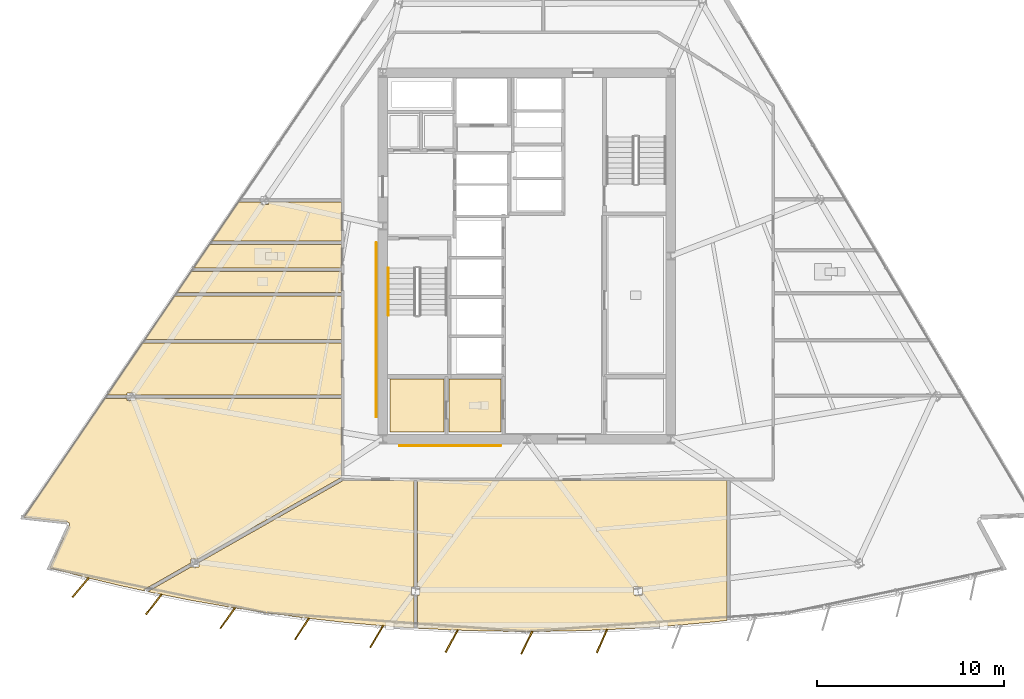
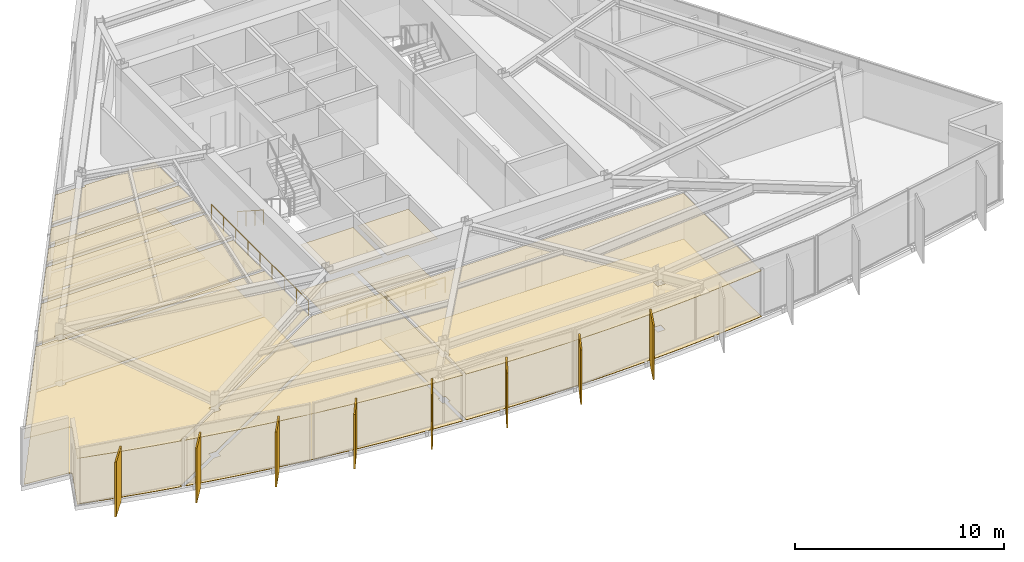
# One storey, part 12 of 16: 20 coverings, 8 shading devices, 3 railings.
"""IFC4 building model written with IfcOpenShell, lengths in metres."""

from ifc_helpers import new_model, si_unit, direction, frame, origin, origin_2d, place, context, subcontext, project, spatial, polyline, rectangle, circle, outline, extrude, material, layer, layer_set, type_object, element, save


model = new_model("IFC4")

# Units and contexts
model_context = context("Model", 3, precision=1e-05, world=origin(), true_north=direction((0.0, 1.0)))
body_context = subcontext(model_context, "Body", "Model", "MODEL_VIEW")
ifc_project = project(units=[si_unit("LENGTHUNIT", "METRE"), si_unit("AREAUNIT", "SQUARE_METRE"), si_unit("VOLUMEUNIT", "CUBIC_METRE"), si_unit("PLANEANGLEUNIT", "RADIAN"), si_unit("MASSUNIT", "GRAM", prefix="KILO")], contexts=[model_context])

# Site, building, storey
site_placement = place(None, origin())
site = spatial("IfcSite", under=ifc_project, at=site_placement, CompositionType="ELEMENT")
building_placement = place(site_placement, origin())
building = spatial("IfcBuilding", under=site, at=building_placement, Name="Savorim Split Tower", CompositionType="ELEMENT")
storey_placement = place(building_placement, frame((0.0, 0.0, 156.60009765625)))
storey = spatial("IfcBuildingStorey", under=building, at=storey_placement, Name="L41", CompositionType="ELEMENT", Elevation=156.60009765625)

# Coverings
ifc_material_1 = material(Name="Mineral Fibre Acoustic Ceiling")
ifc_layer_1 = layer(ifc_material_1, 0.02490234375)
ifc_layer_set_1 = layer_set([ifc_layer_1], Name="COV-CEIL-25")
covering_type_1 = type_object("IfcCoveringType", Name="COV-CEIL-25", PredefinedType="CEILING", material=ifc_layer_set_1)
covering_1_placement = place(storey_placement, frame((0.0, 0.0, 2.669921875)))
element("IfcCovering", 1, at=covering_1_placement, inside=storey, type_object=covering_type_1, Name="L41 Housekeeping Store Acoustic Ceiling", PredefinedType="CEILING", context=body_context, shape_type="SweptSolid", body=[
    extrude(outline(polyline([(-7.320068359375, -6.179931640625), (-7.320068359375, -9.02001953125), (-4.429931640625, -9.02001953125), (-4.429931640625, -6.179931640625), (-7.320068359375, -6.179931640625)])), origin(), (0.0, 0.0, 1.0), 0.02490234375),
])
covering_2_placement = place(storey_placement, frame((0.0, 0.0, 2.669921875)))
element("IfcCovering", 2, at=covering_2_placement, inside=storey, type_object=covering_type_1, Name="L41 Accessible WC Acoustic Ceiling", PredefinedType="CEILING", context=body_context, shape_type="SweptSolid", body=[
    extrude(outline(polyline([(-4.169921875, -6.179931640625), (-4.169921875, -9.02001953125), (-1.3798828125, -9.02001953125), (-1.3798828125, -6.179931640625), (-4.169921875, -6.179931640625)])), origin(), (0.0, 0.0, 1.0), 0.02490234375),
])
covering_3_placement = place(storey_placement, frame((0.0, 0.0, 2.669921875)))
element("IfcCovering", 3, at=covering_3_placement, inside=storey, type_object=covering_type_1, Name="L41 Shared Bathroom Acoustic Ceiling", PredefinedType="CEILING", context=body_context, shape_type="SweptSolid", body=[
    extrude(outline(polyline([(-16.966552734375, 1.00341796875), (-17.810302734375, -0.23681640625), (-9.919921875, -0.23681640625), (-9.919921875, 1.003173828125), (-16.966552734375, 1.00341796875)])), origin(), (0.0, 0.0, 1.0), 0.02490234375),
])
covering_4_placement = place(storey_placement, frame((0.0, 0.0, 2.669921875)))
element("IfcCovering", 4, at=covering_4_placement, inside=storey, type_object=covering_type_1, Name="L41 Shared Kitchen Acoustic Ceiling", PredefinedType="CEILING", context=body_context, shape_type="SweptSolid", body=[
    extrude(outline(polyline([(-17.939453125, -0.4267578125), (-18.703369140625, -1.549560546875), (-9.919921875, -1.549560546875), (-9.919921875, -0.4267578125), (-17.939453125, -0.4267578125)])), origin(), (0.0, 0.0, 1.0), 0.02490234375),
])
covering_5_placement = place(storey_placement, frame((0.0, 0.0, 2.669921875)))
element("IfcCovering", 5, at=covering_5_placement, inside=storey, type_object=covering_type_1, Name="L41 Co-Living Bedroom Acoustic Ceiling", PredefinedType="CEILING", context=body_context, shape_type="SweptSolid", body=[
    extrude(outline(polyline([(-18.83251953125, -1.739501953125), (-20.409912109375, -4.058349609375), (-9.919921875, -4.05859375), (-9.919921875, -1.739501953125), (-18.83251953125, -1.739501953125)])), origin(), (0.0, 0.0, 1.0), 0.02490234375),
])
covering_6_placement = place(storey_placement, frame((0.0, 0.0, 2.669921875)))
element("IfcCovering", 6, at=covering_6_placement, inside=storey, type_object=covering_type_1, Name="L41 Co-Working Commons Acoustic Ceiling", PredefinedType="CEILING", context=body_context, shape_type="SweptSolid", body=[
    extrude(outline(polyline([(-20.94580078125, -6.916748046875), (-20.94580078125, -7.035400390625), (-9.919921875, -7.035400390625), (-9.919921875, -4.24853515625), (-20.539306640625, -4.248291015625), (-22.43505859375, -7.035400390625), (-21.36962890625, -7.035400390625), (-21.36962890625, -6.916748046875), (-20.94580078125, -6.916748046875)])), origin(), (0.0, 0.0, 1.0), 0.02490234375),
])
covering_7_placement = place(storey_placement, frame((0.0, 0.0, 2.669921875)))
element("IfcCovering", 7, at=covering_7_placement, inside=storey, type_object=covering_type_1, Name="L41 Co-Working Commons Acoustic Ceiling", PredefinedType="CEILING", context=body_context, shape_type="SweptSolid", body=[
    extrude(outline(polyline([(-24.447265625, -13.9619140625), (-24.447998046875, -13.973876953125), (-24.4501953125, -13.985595703125), (-24.45361328125, -13.9970703125), (-24.4580078125, -14.00830078125), (-25.5048828125, -16.28662109375), (-23.711181640625, -16.755615234375), (-21.770263671875, -17.220947265625), (-20.432373046875, -17.512939453125), (-20.470458984375, -17.446044921875), (-17.959716796875, -16.018310546875), (-17.959716796875, -15.79345703125), (-17.564208984375, -15.79345703125), (-9.9501953125, -11.46337890625), (-9.919921875, -11.446044921875), (-9.919921875, -7.225341796875), (-20.94580078125, -7.225341796875), (-20.94580078125, -7.34375), (-21.36962890625, -7.34375), (-21.36962890625, -7.225341796875), (-22.439208984375, -7.225341796875), (-22.5341796875, -7.225341796875), (-22.5341796875, -7.18115234375), (-26.88623046875, -13.578369140625), (-24.5537109375, -13.8388671875), (-24.5419921875, -13.8408203125), (-24.530517578125, -13.84375), (-24.519287109375, -13.847900390625), (-24.508544921875, -13.853271484375), (-24.49853515625, -13.859619140625), (-24.489013671875, -13.866943359375), (-24.48046875, -13.875244140625), (-24.47265625, -13.88427734375), (-24.4658203125, -13.893798828125), (-24.459716796875, -13.904296875), (-24.455078125, -13.915283203125), (-24.451416015625, -13.926513671875), (-24.44873046875, -13.938232421875), (-24.447509765625, -13.9501953125), (-24.447265625, -13.9619140625)])), origin(), (0.0, 0.0, 1.0), 0.02490234375),
])
covering_8_placement = place(storey_placement, frame((0.0, 0.0, 2.669921875)))
element("IfcCovering", 8, at=covering_8_placement, inside=storey, type_object=covering_type_1, Name="L41 Co-Working Commons Acoustic Ceiling", PredefinedType="CEILING", context=body_context, shape_type="SweptSolid", body=[
    extrude(outline(polyline([(-13.923828125, -18.6826171875), (-11.945556640625, -18.947265625), (-9.962158203125, -19.17138671875), (-7.974853515625, -19.35498046875), (-6.043212890625, -19.49365234375), (-6.043212890625, -17.7353515625), (-6.16015625, -17.7353515625), (-6.16015625, -17.308349609375), (-6.043212890625, -17.308349609375), (-6.043212890625, -11.6201171875), (-9.780029296875, -11.6201171875), (-9.793701171875, -11.619384765625), (-9.807373046875, -11.6171875), (-9.820556640625, -11.614013671875), (-9.826904296875, -11.61181640625), (-17.53564453125, -15.99560546875), (-17.53564453125, -16.220458984375), (-17.930908203125, -16.220458984375), (-20.26708984375, -17.549072265625), (-19.8203125, -17.646484375), (-17.86181640625, -18.031982421875), (-15.89599609375, -18.37744140625), (-13.923828125, -18.6826171875)])), origin(), (0.0, 0.0, 1.0), 0.02490234375),
])
covering_9_placement = place(storey_placement, frame((0.0, 0.0, 2.669921875)))
element("IfcCovering", 9, at=covering_9_placement, inside=storey, type_object=covering_type_1, Name="L41 Co-Working Commons Acoustic Ceiling", PredefinedType="CEILING", context=body_context, shape_type="SweptSolid", body=[
    extrude(outline(polyline([(5.98388671875, -19.497802734375), (7.974853515625, -19.35498046875), (9.962158203125, -19.17138671875), (10.694580078125, -19.088623046875), (10.694580078125, -11.6201171875), (-5.853271484375, -11.6201171875), (-5.853271484375, -17.308349609375), (-5.736083984375, -17.308349609375), (-5.736083984375, -17.7353515625), (-5.853271484375, -17.7353515625), (-5.853271484375, -19.44970703125), (-5.853271484375, -19.50439453125), (-3.99072265625, -19.599853515625), (-1.99560546875, -19.6611328125), (0.0, -19.681640625), (1.99560546875, -19.6611328125), (3.99072265625, -19.599853515625), (5.98388671875, -19.497802734375)]), holes=[polyline([(5.736083984375, -17.7353515625), (6.16015625, -17.7353515625), (6.16015625, -17.308349609375), (5.736083984375, -17.308349609375), (5.736083984375, -17.7353515625)])]), origin(), (0.0, 0.0, 1.0), 0.02490234375),
])
covering_10_placement = place(storey_placement, frame((0.0, 0.0, 2.669921875)))
element("IfcCovering", 10, at=covering_10_placement, inside=storey, type_object=covering_type_1, Name="L41 Maker Workshop Acoustic Ceiling", PredefinedType="CEILING", context=body_context, shape_type="SweptSolid", body=[
    extrude(outline(polyline([(-14.224365234375, 3.278076171875), (-15.2939453125, 3.278076171875), (-15.388916015625, 3.278076171875), (-15.388916015625, 3.322509765625), (-16.83740234375, 1.193359375), (-9.919921875, 1.193115234375), (-9.919921875, 3.278076171875), (-13.80029296875, 3.278076171875), (-13.80029296875, 3.15966796875), (-14.224365234375, 3.15966796875), (-14.224365234375, 3.278076171875)])), origin(), (0.0, 0.0, 1.0), 0.02490234375),
])
ifc_material_2 = material(Name="Porcelain Stoneware Flooring", Category="masonry")
ifc_layer_2 = layer(ifc_material_2, 0.02001953125)
ifc_layer_set_2 = layer_set([ifc_layer_2], Name="COV-FLOR-20")
covering_type_2 = type_object("IfcCoveringType", Name="COV-FLOR-20", PredefinedType="FLOORING", material=ifc_layer_set_2)
covering_11_placement = place(storey_placement, origin())
element("IfcCovering", 11, at=covering_11_placement, inside=storey, type_object=covering_type_2, Name="L41 Housekeeping Store Porcelain Flooring", PredefinedType="FLOORING", context=body_context, shape_type="SweptSolid", body=[
    extrude(outline(polyline([(-7.320068359375, -6.179931640625), (-7.320068359375, -9.02001953125), (-4.429931640625, -9.02001953125), (-4.429931640625, -6.179931640625), (-7.320068359375, -6.179931640625)])), origin(), (0.0, 0.0, 1.0), 0.02001953125),
])
covering_12_placement = place(storey_placement, origin())
element("IfcCovering", 12, at=covering_12_placement, inside=storey, type_object=covering_type_2, Name="L41 Accessible WC Porcelain Flooring", PredefinedType="FLOORING", context=body_context, shape_type="SweptSolid", body=[
    extrude(outline(polyline([(-4.169921875, -6.179931640625), (-4.169921875, -9.02001953125), (-1.3798828125, -9.02001953125), (-1.3798828125, -6.179931640625), (-4.169921875, -6.179931640625)])), origin(), (0.0, 0.0, 1.0), 0.02001953125),
])
covering_13_placement = place(storey_placement, origin())
element("IfcCovering", 13, at=covering_13_placement, inside=storey, type_object=covering_type_2, Name="L41 Shared Bathroom Porcelain Flooring", PredefinedType="FLOORING", context=body_context, shape_type="SweptSolid", body=[
    extrude(outline(polyline([(-16.966552734375, 1.00341796875), (-17.810302734375, -0.23681640625), (-9.919921875, -0.23681640625), (-9.919921875, 1.003173828125), (-16.966552734375, 1.00341796875)])), origin(), (0.0, 0.0, 1.0), 0.02001953125),
])
covering_14_placement = place(storey_placement, origin())
element("IfcCovering", 14, at=covering_14_placement, inside=storey, type_object=covering_type_2, Name="L41 Shared Kitchen Porcelain Flooring", PredefinedType="FLOORING", context=body_context, shape_type="SweptSolid", body=[
    extrude(outline(polyline([(-17.939453125, -0.4267578125), (-18.703369140625, -1.549560546875), (-9.919921875, -1.549560546875), (-9.919921875, -0.4267578125), (-17.939453125, -0.4267578125)])), origin(), (0.0, 0.0, 1.0), 0.02001953125),
])
covering_15_placement = place(storey_placement, origin())
element("IfcCovering", 15, at=covering_15_placement, inside=storey, type_object=covering_type_2, Name="L41 Co-Living Bedroom Porcelain Flooring", PredefinedType="FLOORING", context=body_context, shape_type="SweptSolid", body=[
    extrude(outline(polyline([(-18.83251953125, -1.739501953125), (-20.409912109375, -4.058349609375), (-9.919921875, -4.05859375), (-9.919921875, -1.739501953125), (-18.83251953125, -1.739501953125)])), origin(), (0.0, 0.0, 1.0), 0.02001953125),
])
covering_16_placement = place(storey_placement, origin())
element("IfcCovering", 16, at=covering_16_placement, inside=storey, type_object=covering_type_2, Name="L41 Co-Working Commons Porcelain Flooring", PredefinedType="FLOORING", context=body_context, shape_type="SweptSolid", body=[
    extrude(outline(polyline([(-20.94580078125, -6.916748046875), (-20.94580078125, -7.035400390625), (-9.919921875, -7.035400390625), (-9.919921875, -4.24853515625), (-20.539306640625, -4.248291015625), (-22.43505859375, -7.035400390625), (-21.36962890625, -7.035400390625), (-21.36962890625, -6.916748046875), (-20.94580078125, -6.916748046875)])), origin(), (0.0, 0.0, 1.0), 0.02001953125),
])
covering_17_placement = place(storey_placement, origin())
element("IfcCovering", 17, at=covering_17_placement, inside=storey, type_object=covering_type_2, Name="L41 Co-Working Commons Porcelain Flooring", PredefinedType="FLOORING", context=body_context, shape_type="SweptSolid", body=[
    extrude(outline(polyline([(-24.447265625, -13.9619140625), (-24.447998046875, -13.973876953125), (-24.4501953125, -13.985595703125), (-24.45361328125, -13.9970703125), (-24.4580078125, -14.00830078125), (-25.5048828125, -16.28662109375), (-23.711181640625, -16.755615234375), (-21.770263671875, -17.220947265625), (-20.432373046875, -17.512939453125), (-20.470458984375, -17.446044921875), (-17.959716796875, -16.018310546875), (-17.959716796875, -15.79345703125), (-17.564208984375, -15.79345703125), (-9.9501953125, -11.46337890625), (-9.919921875, -11.446044921875), (-9.919921875, -7.225341796875), (-20.94580078125, -7.225341796875), (-20.94580078125, -7.34375), (-21.36962890625, -7.34375), (-21.36962890625, -7.225341796875), (-22.439208984375, -7.225341796875), (-22.5341796875, -7.225341796875), (-22.5341796875, -7.18115234375), (-26.88623046875, -13.578369140625), (-24.5537109375, -13.8388671875), (-24.5419921875, -13.8408203125), (-24.530517578125, -13.84375), (-24.519287109375, -13.847900390625), (-24.508544921875, -13.853271484375), (-24.49853515625, -13.859619140625), (-24.489013671875, -13.866943359375), (-24.48046875, -13.875244140625), (-24.47265625, -13.88427734375), (-24.4658203125, -13.893798828125), (-24.459716796875, -13.904296875), (-24.455078125, -13.915283203125), (-24.451416015625, -13.926513671875), (-24.44873046875, -13.938232421875), (-24.447509765625, -13.9501953125), (-24.447265625, -13.9619140625)])), origin(), (0.0, 0.0, 1.0), 0.02001953125),
])
covering_18_placement = place(storey_placement, origin())
element("IfcCovering", 18, at=covering_18_placement, inside=storey, type_object=covering_type_2, Name="L41 Co-Working Commons Porcelain Flooring", PredefinedType="FLOORING", context=body_context, shape_type="SweptSolid", body=[
    extrude(outline(polyline([(-13.923828125, -18.6826171875), (-11.945556640625, -18.947265625), (-9.962158203125, -19.17138671875), (-7.974853515625, -19.35498046875), (-6.043212890625, -19.49365234375), (-6.043212890625, -17.7353515625), (-6.16015625, -17.7353515625), (-6.16015625, -17.308349609375), (-6.043212890625, -17.308349609375), (-6.043212890625, -11.6201171875), (-9.780029296875, -11.6201171875), (-9.793701171875, -11.619384765625), (-9.807373046875, -11.6171875), (-9.820556640625, -11.614013671875), (-9.826904296875, -11.61181640625), (-17.53564453125, -15.99560546875), (-17.53564453125, -16.220458984375), (-17.930908203125, -16.220458984375), (-20.26708984375, -17.549072265625), (-19.8203125, -17.646484375), (-17.86181640625, -18.031982421875), (-15.89599609375, -18.37744140625), (-13.923828125, -18.6826171875)])), origin(), (0.0, 0.0, 1.0), 0.02001953125),
])
covering_19_placement = place(storey_placement, origin())
element("IfcCovering", 19, at=covering_19_placement, inside=storey, type_object=covering_type_2, Name="L41 Co-Working Commons Porcelain Flooring", PredefinedType="FLOORING", context=body_context, shape_type="SweptSolid", body=[
    extrude(outline(polyline([(5.98388671875, -19.497802734375), (7.974853515625, -19.35498046875), (9.962158203125, -19.17138671875), (10.694580078125, -19.088623046875), (10.694580078125, -11.6201171875), (-5.853271484375, -11.6201171875), (-5.853271484375, -17.308349609375), (-5.736083984375, -17.308349609375), (-5.736083984375, -17.7353515625), (-5.853271484375, -17.7353515625), (-5.853271484375, -19.44970703125), (-5.853271484375, -19.50439453125), (-3.99072265625, -19.599853515625), (-1.99560546875, -19.6611328125), (0.0, -19.681640625), (1.99560546875, -19.6611328125), (3.99072265625, -19.599853515625), (5.98388671875, -19.497802734375)]), holes=[polyline([(5.736083984375, -17.7353515625), (6.16015625, -17.7353515625), (6.16015625, -17.308349609375), (5.736083984375, -17.308349609375), (5.736083984375, -17.7353515625)])]), origin(), (0.0, 0.0, 1.0), 0.02001953125),
])
covering_20_placement = place(storey_placement, origin())
element("IfcCovering", 20, at=covering_20_placement, inside=storey, type_object=covering_type_2, Name="L41 Maker Workshop Porcelain Flooring", PredefinedType="FLOORING", context=body_context, shape_type="SweptSolid", body=[
    extrude(outline(polyline([(-14.224365234375, 3.278076171875), (-15.2939453125, 3.278076171875), (-15.388916015625, 3.278076171875), (-15.388916015625, 3.322509765625), (-16.83740234375, 1.193359375), (-9.919921875, 1.193115234375), (-9.919921875, 3.278076171875), (-13.80029296875, 3.278076171875), (-13.80029296875, 3.15966796875), (-14.224365234375, 3.15966796875), (-14.224365234375, 3.278076171875)])), origin(), (0.0, 0.0, 1.0), 0.02001953125),
])

# Railings
ifc_material_3 = material(Name="Galvanised Painted Steel Balustrade", Category="steel")
railing_type = type_object("IfcRailingType", Name="RLG-HR-900", PredefinedType="HANDRAIL", material=ifc_material_3)
railing_1_placement = place(storey_placement, frame((-7.39990234375, -0.25, 0.179931640625)))
element("IfcRailing", 21, at=railing_1_placement, inside=storey, type_object=railing_type, Name="L41 ST-1 stair handrail 1", PredefinedType="HANDRAIL", context=body_context, shape_type="SweptSolid", body=[
    extrude(circle(Radius=0.02392578125, at=origin_2d()), frame((0.0, 0.0, 0.8759765625), z_axis=(0.0, -0.841199657755, 0.540724639528), x_axis=(1.0, 0.0, 0.0)), (0.0, 0.0, 1.0), 2.995849609375),
    extrude(circle(Radius=0.02099609375, at=origin_2d()), origin(), (0.0, 0.0, 1.0), 0.851806640625),
    extrude(circle(Radius=0.02099609375, at=origin_2d()), frame((0.0, -0.840087890625, 0.5400390625)), (0.0, 0.0, 1.0), 0.851806640625),
    extrude(circle(Radius=0.02099609375, at=origin_2d()), frame((0.0, -1.679931640625, 1.079833984375)), (0.0, 0.0, 1.0), 0.851806640625),
    extrude(circle(Radius=0.02099609375, at=origin_2d()), frame((0.0, -2.52001953125, 1.619873046875)), (0.0, 0.0, 1.0), 0.851806640625),
])
railing_2_placement = place(storey_placement, frame((-6.800048828125, -9.75, 0.0)))
element("IfcRailing", 22, at=railing_2_placement, inside=storey, type_object=railing_type, Name="L41 Corridor South Accessible Handrail", PredefinedType="HANDRAIL", context=body_context, shape_type="SweptSolid", body=[
    extrude(circle(Radius=0.02392578125, at=origin_2d()), frame((0.0, 0.0, 0.8759765625), z_axis=(1.0, 0.0, 0.0), x_axis=(0.0, 1.0, 0.0)), (0.0, 0.0, 1.0), 5.400146484375),
    extrude(circle(Radius=0.02099609375, at=origin_2d()), origin(), (0.0, 0.0, 1.0), 0.851806640625),
    extrude(circle(Radius=0.02099609375, at=origin_2d()), frame((1.080078125, 0.0, 0.0)), (0.0, 0.0, 1.0), 0.851806640625),
    extrude(circle(Radius=0.02099609375, at=origin_2d()), frame((2.16015625, 0.0, 0.0)), (0.0, 0.0, 1.0), 0.851806640625),
    extrude(circle(Radius=0.02099609375, at=origin_2d()), frame((3.239990234375, 0.0, 0.0)), (0.0, 0.0, 1.0), 0.851806640625),
    extrude(circle(Radius=0.02099609375, at=origin_2d()), frame((4.320068359375, 0.0, 0.0)), (0.0, 0.0, 1.0), 0.851806640625),
    extrude(circle(Radius=0.02099609375, at=origin_2d()), frame((5.400146484375, 0.0, 0.0)), (0.0, 0.0, 1.0), 0.851806640625),
])
railing_3_placement = place(storey_placement, frame((-8.050048828125, -8.199951171875, 0.0)))
element("IfcRailing", 23, at=railing_3_placement, inside=storey, type_object=railing_type, Name="L41 Corridor West Accessible Handrail", PredefinedType="HANDRAIL", context=body_context, shape_type="SweptSolid", body=[
    extrude(circle(Radius=0.02392578125, at=origin_2d()), frame((0.0, 0.0, 0.8759765625), z_axis=(0.0, 1.0, 0.0), x_axis=(-1.0, 0.0, 0.0)), (0.0, 0.0, 1.0), 9.300048828125),
    extrude(circle(Radius=0.02099609375, at=origin_2d()), origin(), (0.0, 0.0, 1.0), 0.851806640625),
    extrude(circle(Radius=0.02099609375, at=origin_2d()), frame((0.0, 1.16259765625, 0.0)), (0.0, 0.0, 1.0), 0.851806640625),
    extrude(circle(Radius=0.02099609375, at=origin_2d()), frame((0.0, 2.324951171875, 0.0)), (0.0, 0.0, 1.0), 0.851806640625),
    extrude(circle(Radius=0.02099609375, at=origin_2d()), frame((0.0, 3.487548828125, 0.0)), (0.0, 0.0, 1.0), 0.851806640625),
    extrude(circle(Radius=0.02099609375, at=origin_2d()), frame((0.0, 4.64990234375, 0.0)), (0.0, 0.0, 1.0), 0.851806640625),
    extrude(circle(Radius=0.02099609375, at=origin_2d()), frame((0.0, 5.8125, 0.0)), (0.0, 0.0, 1.0), 0.851806640625),
    extrude(circle(Radius=0.02099609375, at=origin_2d()), frame((0.0, 6.97509765625, 0.0)), (0.0, 0.0, 1.0), 0.851806640625),
    extrude(circle(Radius=0.02099609375, at=origin_2d()), frame((0.0, 8.137451171875, 0.0)), (0.0, 0.0, 1.0), 0.851806640625),
    extrude(circle(Radius=0.02099609375, at=origin_2d()), frame((0.0, 9.300048828125, 0.0)), (0.0, 0.0, 1.0), 0.851806640625),
])

# Shading devices
ifc_material_4 = material(Name="Terracotta Ceramic-Coated Aluminium Fin", Category="masonry")
shading_device_type = type_object("IfcShadingDeviceType", Name="SHD-FIN-1360", PredefinedType="USERDEFINED", material=ifc_material_4)
for number, where, z_axis, x_axis, name in (
    (24, (-23.85595703125, -17.333740234375, -0.2001953125), (0.0, 0.0, 1.0), (-0.643719022682, -0.765261928909, 0.0), "L41 Sawtooth Shading Fin 01"),
    (25, (-19.94140625, -18.22998046875, -0.2001953125), (0.0, 0.0, 1.0), (-0.611868076908, -0.790959832394, 0.0), "L41 Sawtooth Shading Fin 02"),
    (26, (-15.993408203125, -18.965576171875, -0.2001953125), (0.0, 0.0, 1.0), (-0.578993757737, -0.815331974414, 0.0), "L41 Sawtooth Shading Fin 03"),
    (27, (-12.0185546875, -19.538818359375, -0.2001953125), (0.0, 0.0, 1.0), (-0.545148321708, -0.838339613366, 0.0), "L41 Sawtooth Shading Fin 04"),
    (28, (-8.0234375, -19.948974609375, -0.2001953125), (0.0, 0.0, 1.0), (-0.510391336723, -0.859942255851, 0.0), "L41 Sawtooth Shading Fin 05"),
    (29, (-4.01513671875, -20.1953125, -0.2001953125), (0.0, 0.0, 1.0), (-0.474778051978, -0.880105562623, 0.0), "L41 Sawtooth Shading Fin 06"),
    (30, (0.0, -20.277587890625, -0.2001953125), (0.0, 0.0, 1.0), (-0.438371146789, -0.898794046299, 0.0), "L41 Sawtooth Shading Fin 07"),
    (31, (4.01513671875, -20.1953125, -0.2001953125), (0.0, 0.0, 1.0), (-0.401230091723, -0.915977299662, 0.0), "L41 Sawtooth Shading Fin 08"),
):
    element("IfcShadingDevice", number, at=place(storey_placement, frame(where, z_axis=z_axis, x_axis=x_axis)), inside=storey, type_object=shading_device_type, Name=name, ObjectType="FIN", PredefinedType="USERDEFINED", context=body_context, shape_type="SweptSolid", body=[
        extrude(rectangle(XDim=1.360107421875, YDim=0.080078125, at=origin_2d()), origin(), (0.0, 0.0, 1.0), 3.199951171875),
    ])

save(model, "model.ifc")
